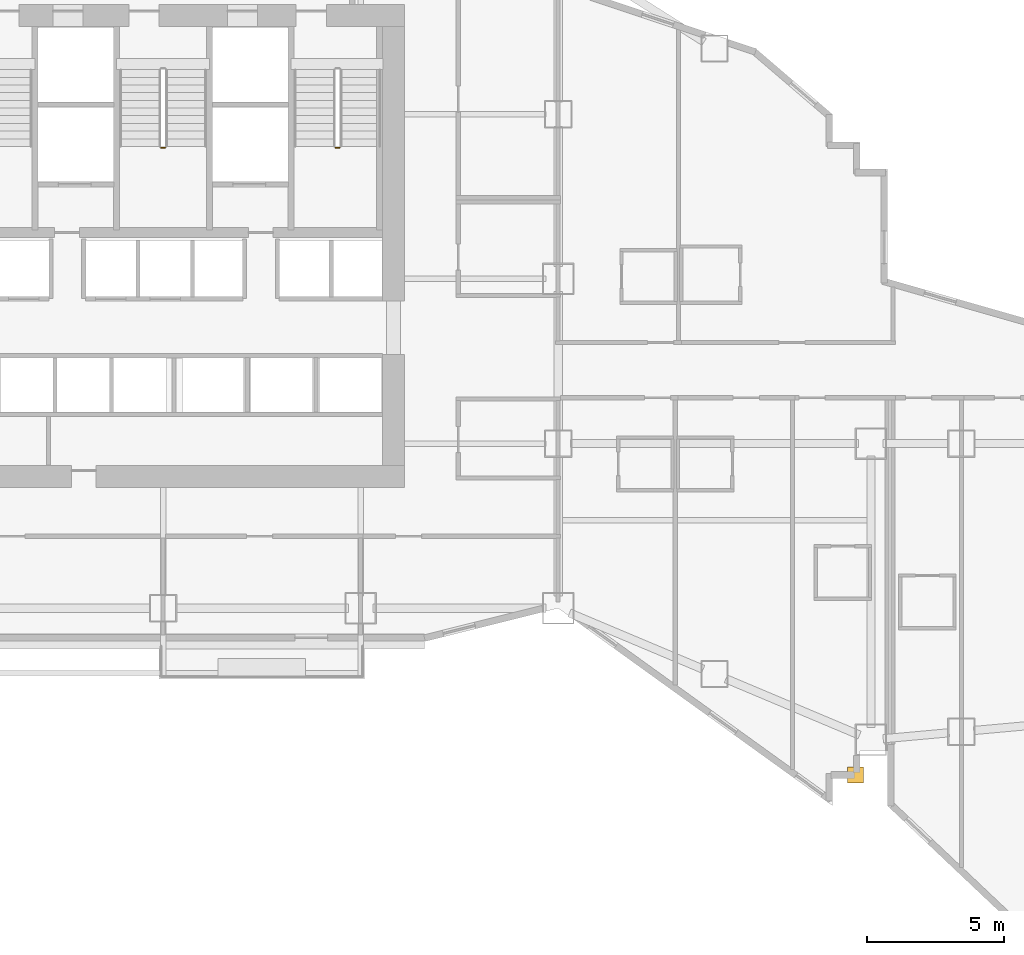
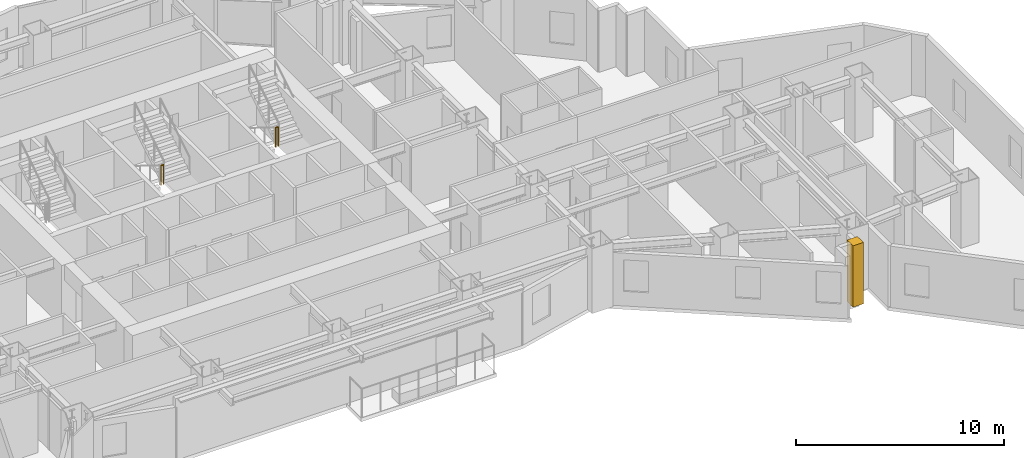
# One storey, part 15 of 17: 2 railings, 1 covering.
"""IFC4 building model written with IfcOpenShell, lengths in metres."""

from ifc_helpers import new_model, si_unit, direction, frame, origin, origin_2d, place, context, subcontext, project, spatial, rectangle, circle, extrude, material, layer, layer_set, type_object, element, save


model = new_model("IFC4")

# Units and contexts
model_context = context("Model", 3, precision=1e-05, world=origin(), true_north=direction((0.0, 1.0)))
body_context = subcontext(model_context, "Body", "Model", "MODEL_VIEW")
ifc_project = project(units=[si_unit("LENGTHUNIT", "METRE"), si_unit("AREAUNIT", "SQUARE_METRE"), si_unit("VOLUMEUNIT", "CUBIC_METRE"), si_unit("PLANEANGLEUNIT", "RADIAN"), si_unit("MASSUNIT", "GRAM", prefix="KILO")], contexts=[model_context])

# Site, building, storey
site_placement = place(None, origin())
site = spatial("IfcSite", under=ifc_project, at=site_placement, CompositionType="ELEMENT")
building_placement = place(site_placement, origin())
building = spatial("IfcBuilding", under=site, at=building_placement, Name="Haolan Belvedere Tower", CompositionType="ELEMENT")
storey_placement = place(building_placement, frame((0.0, 0.0, 59.0)))
storey = spatial("IfcBuildingStorey", under=building, at=storey_placement, Name="L14", CompositionType="ELEMENT", Elevation=59.0)

# Covering
ifc_material_1 = material(Name="Pale champagne-silver anodised aluminium rainscreen cladding", Category="aluminium")
ifc_layer = layer(ifc_material_1, 0.034912109375, Name="Pale champagne-silver anodised aluminium rainscreen cladding")
ifc_layer_set = layer_set([ifc_layer], Name="Pale champagne-silver anodised aluminium rainscreen cladding")
covering_type = type_object("IfcCoveringType", Name="COV-CLAD-35", PredefinedType="CLADDING", material=ifc_layer_set)
covering_placement = place(storey_placement, frame((63.637451171875, 15.52001953125, 0.0), z_axis=(0.0, 0.0, 1.0), x_axis=(1.0, 0.0, 0.0)))
element("IfcCovering", 1, at=covering_placement, inside=storey, type_object=covering_type, Name="L14 pale-metal serrated corner cladding trim 4", PredefinedType="CLADDING", context=body_context, shape_type="SweptSolid", body=[
    extrude(rectangle(XDim=0.580078125, YDim=0.580078125, at=origin_2d()), origin(), (0.0, 0.0, 1.0), 3.60009765625),
])

# Railings
ifc_material_2 = material(Name="Brushed stainless steel 304", Category="steel")
railing_type = type_object("IfcRailingType", Name="RL-STAIR-GRD-1150", PredefinedType="GUARDRAIL", material=ifc_material_2)
railing_1_placement = place(storey_placement, frame((38.330078125, 38.3798828125, 1.89990234375)))
element("IfcRailing", 2, at=railing_1_placement, inside=storey, type_object=railing_type, Name="L14 ST3 stair guard 2", PredefinedType="GUARDRAIL", context=body_context, shape_type="SweptSolid", body=[
    extrude(circle(Radius=0.02392578125, at=origin_2d()), frame((0.0, 0.0, 1.1259765625), z_axis=(1.0, 0.0, 0.0), x_axis=(0.0, 1.0, 0.0)), (0.0, 0.0, 1.0), 0.139892578125),
    extrude(circle(Radius=0.02099609375, at=origin_2d()), origin(), (0.0, 0.0, 1.0), 1.101806640625),
    extrude(circle(Radius=0.02099609375, at=origin_2d()), frame((0.139892578125, 0.0, 0.0)), (0.0, 0.0, 1.0), 1.101806640625),
])
railing_2_placement = place(storey_placement, frame((44.68994140625, 38.3798828125, 1.89990234375)))
element("IfcRailing", 3, at=railing_2_placement, inside=storey, type_object=railing_type, Name="L14 ST2 stair guard 2", PredefinedType="GUARDRAIL", context=body_context, shape_type="SweptSolid", body=[
    extrude(circle(Radius=0.02392578125, at=origin_2d()), frame((0.0, 0.0, 1.1259765625), z_axis=(1.0, 0.0, 0.0), x_axis=(0.0, 1.0, 0.0)), (0.0, 0.0, 1.0), 0.14013671875),
    extrude(circle(Radius=0.02099609375, at=origin_2d()), origin(), (0.0, 0.0, 1.0), 1.101806640625),
    extrude(circle(Radius=0.02099609375, at=origin_2d()), frame((0.14013671875, 0.0, 0.0)), (0.0, 0.0, 1.0), 1.101806640625),
])

save(model, "model.ifc")
